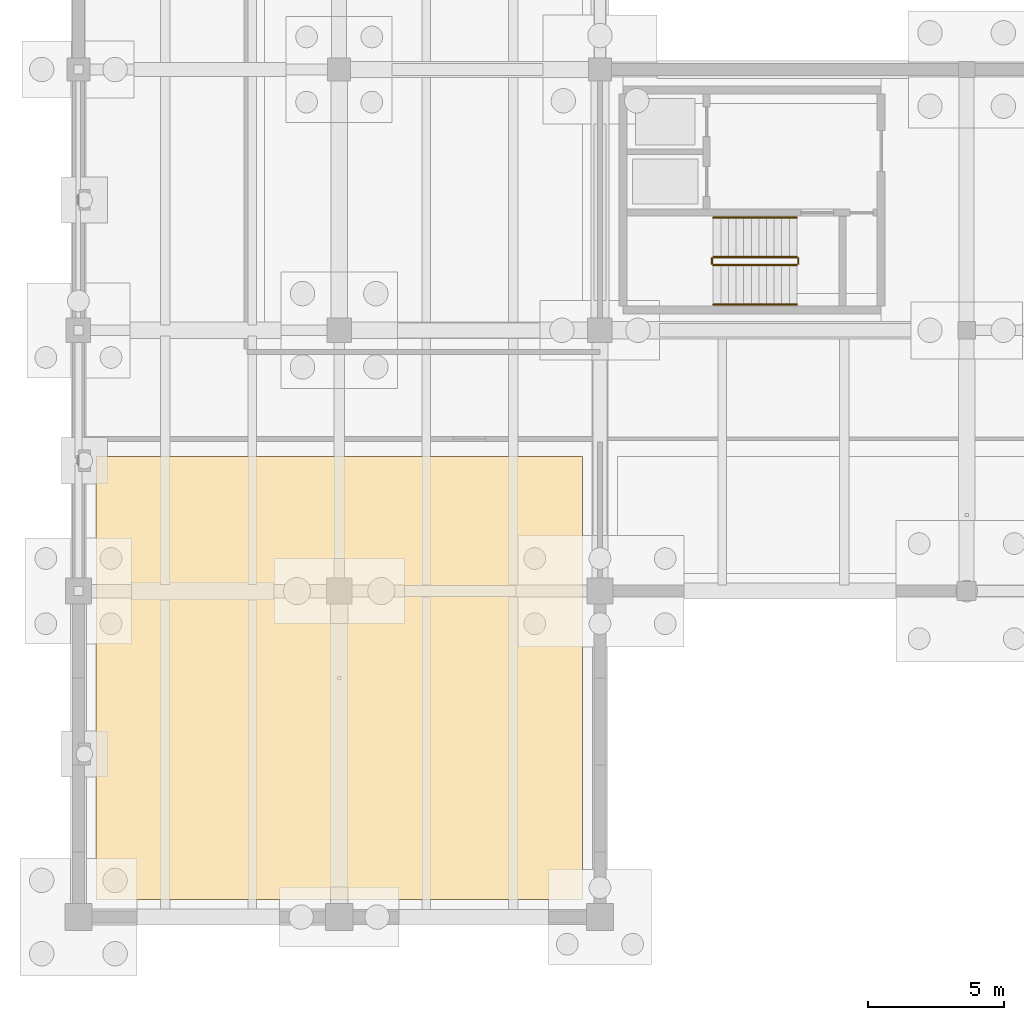
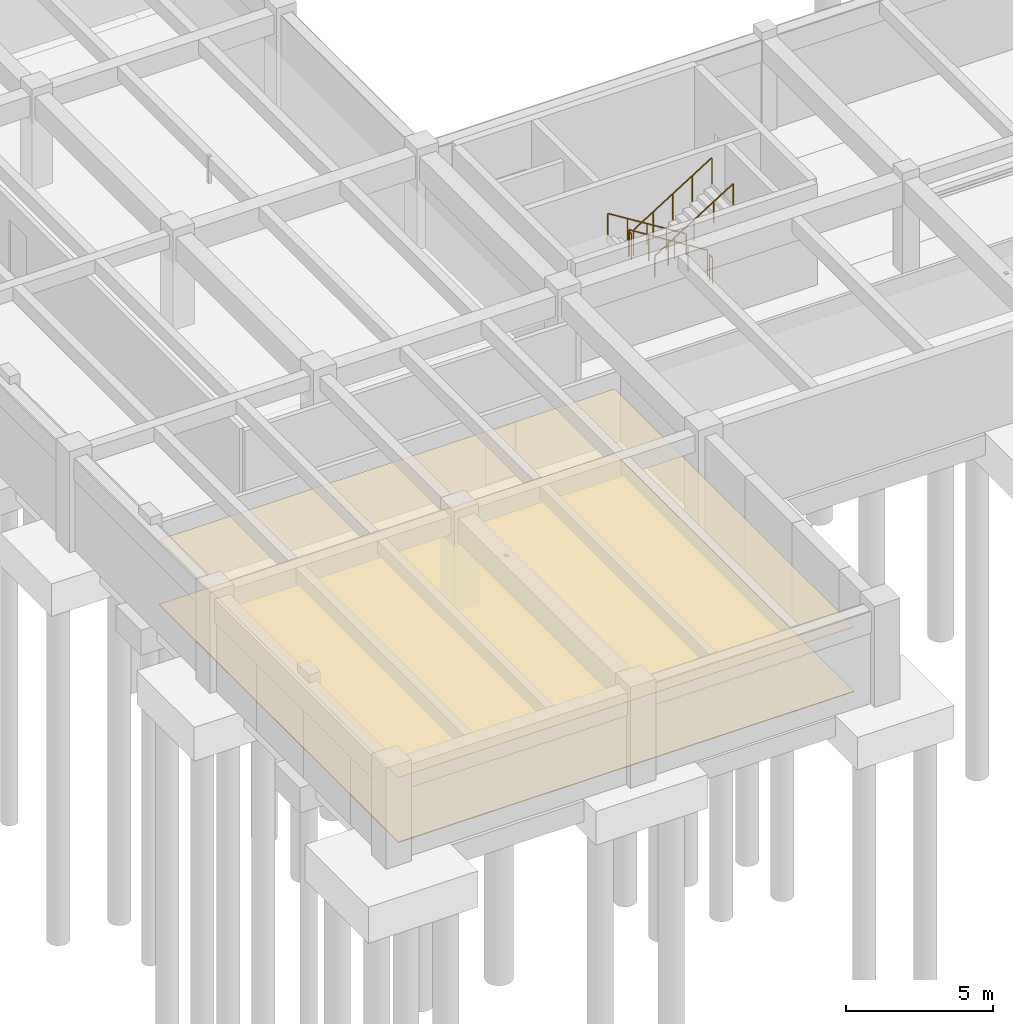
# One storey, part 31 of 41: 6 railings, 2 coverings.
"""IFC4 building model written with IfcOpenShell, lengths in metres."""

import ifcopenshell
import ifcopenshell.guid

model = None  # the IFC model being written
_history = None  # IfcOwnerHistory: only IFC2X3 demands one
_inside = {}  # id of a spatial element -> (the spatial element, [elements in it])
_under = {}  # id of a project, library or spatial element -> (it, [spatial elements below it])
_declared = {}  # id of a project -> (the project, [libraries it declares])
_typed = {}  # id of a type object -> (the type object, [elements of that type])
_made_of = {}  # id of a material, layer set ... -> (it, [elements and type objects made of it])


def new_model(schema):
    """Start an empty IFC model of exactly this schema.

    Asked for "IFC4X3", IfcOpenShell would pick the latest addendum, in which some entities
    have other attributes; the version numbers below select the first issue.
    IFC2X3 requires an IfcOwnerHistory on every rooted entity: one is made here for all.
    """
    global model, _history
    if schema == "IFC4X3":
        model = ifcopenshell.file(schema_version=(4, 3, 0, 0))
    else:
        model = ifcopenshell.file(schema=schema)
    _inside.clear()
    _under.clear()
    _declared.clear()
    _typed.clear()
    _made_of.clear()
    _history = None
    if model.schema == "IFC2X3":
        org = make("IfcOrganization", Name="unknown")
        user = make(
            "IfcPersonAndOrganization",
            ThePerson=make("IfcPerson", FamilyName="unknown"),
            TheOrganization=org,
        )
        app = make(
            "IfcApplication",
            ApplicationDeveloper=org,
            Version="unknown",
            ApplicationFullName="unknown",
            ApplicationIdentifier="unknown",
        )
        _history = make(
            "IfcOwnerHistory",
            OwningUser=user,
            OwningApplication=app,
            ChangeAction="ADDED",
            CreationDate=0,
        )
    return model


def make(cls, **values):
    """One entity of the class cls with the attributes given. An attribute that is None is left unset."""
    return model.create_entity(
        cls, **{name: value for name, value in values.items() if value is not None}
    )


def rooted(cls, **values):
    """An entity with a GlobalId (a new one), such as an element, a storey or a relation."""
    return make(cls, GlobalId=ifcopenshell.guid.new(), OwnerHistory=_history, **values)


def si_unit(unit_type, name, prefix=None):
    """IfcSIUnit, for example si_unit("LENGTHUNIT", "METRE", prefix="MILLI")."""
    return make("IfcSIUnit", UnitType=unit_type, Prefix=prefix, Name=name)


def assignment(units):
    """IfcUnitAssignment: the units of a project."""
    return None if units is None else make("IfcUnitAssignment", Units=units)


def point(xyz):
    """IfcCartesianPoint."""
    return None if xyz is None else make("IfcCartesianPoint", Coordinates=xyz)


def direction(xyz):
    """IfcDirection."""
    return None if xyz is None else make("IfcDirection", DirectionRatios=xyz)


def frame(location, z_axis=None, x_axis=None):
    """IfcAxis2Placement3D, a coordinate frame: its origin and axes. An axis left out is left unset."""
    return make(
        "IfcAxis2Placement3D",
        Location=point(location),
        Axis=direction(z_axis),
        RefDirection=direction(x_axis),
    )


def frame_2d(location, x_axis=None):
    """IfcAxis2Placement2D, a coordinate frame in the plane: its origin and x axis."""
    return make(
        "IfcAxis2Placement2D", Location=point(location), RefDirection=direction(x_axis)
    )


def origin():
    """The frame at (0, 0, 0) with its axes left unset."""
    return frame((0.0, 0.0, 0.0))


def origin_2d():
    """The frame at (0, 0) in the plane with its x axis left unset."""
    return frame_2d((0.0, 0.0))


def place(relative_to, where):
    """IfcLocalPlacement: puts the frame where relative to a parent placement (None: the world)."""
    return make(
        "IfcLocalPlacement", PlacementRelTo=relative_to, RelativePlacement=where
    )


def context(
    kind, dimensions, precision=None, world=None, true_north=None, identifier=None
):
    """IfcGeometricRepresentationContext, for example the 3D "Model" context."""
    return make(
        "IfcGeometricRepresentationContext",
        ContextIdentifier=identifier,
        ContextType=kind,
        CoordinateSpaceDimension=dimensions,
        Precision=precision,
        WorldCoordinateSystem=world,
        TrueNorth=true_north,
    )


def subcontext(parent, identifier, kind, view, scale=None):
    """IfcGeometricRepresentationSubContext, for example "Body" below "Model"."""
    return make(
        "IfcGeometricRepresentationSubContext",
        ContextIdentifier=identifier,
        ContextType=kind,
        ParentContext=parent,
        TargetScale=scale,
        TargetView=view,
    )


def project(units=None, contexts=None):
    """IfcProject with its units and contexts."""
    return rooted(
        "IfcProject",
        Name="project",
        RepresentationContexts=contexts,
        UnitsInContext=assignment(units),
    )


def spatial(cls, under=None, at=None, **own):
    """A site, building, storey or space (cls), placed at a placement, below another one or the project."""
    s = rooted(cls, ObjectPlacement=at, **own)
    if under is not None:
        _under.setdefault(under.id(), (under, []))[1].append(s)
    return s


def polyline(points):
    """IfcPolyline through the points."""
    return make("IfcPolyline", Points=[point(p) for p in points])


def profile(cls, at=None, kind="AREA", **sizes):
    """A parametric profile (cls). Its sizes go by their IFC names, for example OverallWidth=200.0."""
    return make(cls, ProfileType=kind, Position=at, **sizes)


def circle(**sizes):
    """IfcCircleProfileDef."""
    return profile("IfcCircleProfileDef", **sizes)


def outline(outer, holes=None, kind="AREA"):
    """IfcArbitraryClosedProfileDef: a profile drawn as a closed curve; with holes, ...WithVoids."""
    if holes is None:
        return make("IfcArbitraryClosedProfileDef", ProfileType=kind, OuterCurve=outer)
    return make(
        "IfcArbitraryProfileDefWithVoids",
        ProfileType=kind,
        OuterCurve=outer,
        InnerCurves=holes,
    )


def extrude(swept, where, along, depth):
    """IfcExtrudedAreaSolid: the profile swept, set in the frame where, extruded along a direction by depth."""
    return make(
        "IfcExtrudedAreaSolid",
        SweptArea=swept,
        Position=where,
        ExtrudedDirection=direction(along),
        Depth=depth,
    )


def shape(context_of_items, identifier, shape_type, items):
    """IfcShapeRepresentation: the items that make up one representation, for example the "Body"."""
    return make(
        "IfcShapeRepresentation",
        ContextOfItems=context_of_items,
        RepresentationIdentifier=identifier,
        RepresentationType=shape_type,
        Items=items,
    )


def material(Name=None, Category=None):
    """IfcMaterial."""
    return make("IfcMaterial", Name=Name, Category=Category)


def layer(
    of_material, thickness, ventilated=None, Name=None, Category=None, Priority=None
):
    """IfcMaterialLayer: one layer of a wall or slab, of a material (None: an air gap)."""
    return make(
        "IfcMaterialLayer",
        Material=of_material,
        LayerThickness=thickness,
        IsVentilated=ventilated,
        Name=Name,
        Category=Category,
        Priority=Priority,
    )


def layer_set(layers, Name=None):
    """IfcMaterialLayerSet."""
    return make("IfcMaterialLayerSet", MaterialLayers=layers, LayerSetName=Name)


def made_of(thing, what):
    """Note that an element or type object is made of a material, layer set ...; save() writes the relation."""
    if what is not None:
        _made_of.setdefault(what.id(), (what, []))[1].append(thing)
    return thing


def type_object(cls, material=None, **own):
    """A type object (cls), such as IfcWallType, which elements share."""
    return made_of(rooted(cls, **own), material)


def element(
    cls,
    number,
    at=None,
    inside=None,
    cuts=None,
    type_object=None,
    material=None,
    context=None,
    identifier="Body",
    shape_type=None,
    held_by="IfcProductDefinitionShape",
    body=None,
    shapes=None,
    **own,
):
    """One element of the class cls, such as IfcWall. Its Tag is "e" and its number.

    at: its placement. inside: the storey or other place that contains it. cuts: it is an
    opening in that element (IfcRelVoidsElement). A single representation is given by context,
    identifier, shape_type and body (its items); several are given by shapes. held_by: the class
    of the entity that holds the representations. save() writes the other relations.
    """
    e = rooted(cls, Tag="e%d" % number, ObjectPlacement=at, **own)
    if body is not None:
        shapes = [shape(context, identifier, shape_type, body)]
    if shapes is not None:
        e.Representation = make(held_by, Representations=shapes)
    if inside is not None:
        _inside.setdefault(inside.id(), (inside, []))[1].append(e)
    if cuts is not None:
        rooted(
            "IfcRelVoidsElement", RelatingBuildingElement=cuts, RelatedOpeningElement=e
        )
    if type_object is not None:
        _typed.setdefault(type_object.id(), (type_object, []))[1].append(e)
    return made_of(e, material)


def aggregate(whole, parts):
    """IfcRelAggregates: a whole, such as a stair, and the parts it consists of."""
    return rooted("IfcRelAggregates", RelatingObject=whole, RelatedObjects=parts)


def save(model, path):
    """Write the relations noted so far, then the file.

    IfcRelAggregates (storeys below a building ...), IfcRelContainedInSpatialStructure (elements
    in a storey), IfcRelDefinesByType, IfcRelAssociatesMaterial and IfcRelDeclares: one each for
    every whole, place, type object, material and project.
    """
    for whole, parts in _under.values():
        aggregate(whole, parts)
    for where, things in _inside.values():
        rooted(
            "IfcRelContainedInSpatialStructure",
            RelatedElements=things,
            RelatingStructure=where,
        )
    for kind, things in _typed.values():
        rooted("IfcRelDefinesByType", RelatedObjects=things, RelatingType=kind)
    for what, things in _made_of.values():
        rooted("IfcRelAssociatesMaterial", RelatedObjects=things, RelatingMaterial=what)
    for by, libraries in _declared.values():
        rooted("IfcRelDeclares", RelatingContext=by, RelatedDefinitions=libraries)
    model.write(path)


model = new_model("IFC4")

# Units and contexts
model_context = context("Model", 3, precision=1e-05, world=origin(), true_north=direction((0.0, 1.0)))
body_context = subcontext(model_context, "Body", "Model", "MODEL_VIEW")
ifc_project = project(units=[si_unit("LENGTHUNIT", "METRE"), si_unit("AREAUNIT", "SQUARE_METRE"), si_unit("VOLUMEUNIT", "CUBIC_METRE"), si_unit("PLANEANGLEUNIT", "RADIAN"), si_unit("MASSUNIT", "GRAM", prefix="KILO")], contexts=[model_context])

# Site, building, storey
site_placement = place(None, origin())
site = spatial("IfcSite", under=ifc_project, at=site_placement, CompositionType="ELEMENT")
building_placement = place(site_placement, origin())
building = spatial("IfcBuilding", under=site, at=building_placement, Name="Fikremerkos Civic Library", CompositionType="ELEMENT")
storey_placement = place(building_placement, frame((0.0, 0.0, -8.39990234375)))
storey = spatial("IfcBuildingStorey", under=building, at=storey_placement, Name="B02", CompositionType="ELEMENT", Elevation=-8.39990234375)

# Covering
ifc_material_1 = material(Name="Perforated acoustic cedar timber", Category="wood")
ifc_layer_1 = layer(ifc_material_1, 0.02490234375, Name="Perforated acoustic cedar timber")
ifc_layer_set_1 = layer_set([ifc_layer_1], Name="Perforated acoustic cedar timber")
covering_type_1 = type_object("IfcCoveringType", Name="Acoustic perforated timber ceiling CLG-01", PredefinedType="CEILING", material=ifc_layer_set_1)
covering_1_placement = place(storey_placement, frame((0.0, 0.0, 2.68994140625)))
element("IfcCovering", 1, at=covering_1_placement, inside=storey, type_object=covering_type_1, Name="Acoustic ceiling Rare Books and Manuscript Vault 1", PredefinedType="CEILING", context=body_context, shape_type="SweptSolid", body=[
    extrude(outline(polyline([(0.64990234375, 0.64990234375), (0.64990234375, 16.949951171875), (18.550048828125, 16.949951171875), (18.550048828125, 0.64990234375), (0.64990234375, 0.64990234375)])), origin(), (0.0, 0.0, 1.0), 0.02490234375),
])

# Railings
ifc_material_2 = material(Name="Painted Steel S275", Category="steel")
railing_type_1 = type_object("IfcRailingType", Name="Interior balustrade guard RLG-INT 1100", PredefinedType="BALUSTRADE", material=ifc_material_2)
railing_1_placement = place(storey_placement, frame((26.449951171875, 24.300048828125, 0.1748046875)))
element("IfcRailing", 2, at=railing_1_placement, inside=storey, type_object=railing_type_1, Name="B02 ST-K1 stair guard 1", PredefinedType="BALUSTRADE", context=body_context, shape_type="SweptSolid", body=[
    extrude(circle(Radius=0.02392578125, at=origin_2d()), frame((0.0, 0.0, 1.076171875), z_axis=(-0.847979421464, 0.0, 0.530029150871), x_axis=(0.0, -1.0, 0.0)), (0.0, 0.0, 1.0), 3.632080078125),
    extrude(circle(Radius=0.02099609375, at=origin_2d()), origin(), (0.0, 0.0, 1.0), 1.052001953125),
    extrude(circle(Radius=0.02099609375, at=origin_2d()), frame((-0.77001953125, 0.0, 0.481201171875)), (0.0, 0.0, 1.0), 1.052001953125),
    extrude(circle(Radius=0.02099609375, at=origin_2d()), frame((-1.5400390625, 0.0, 0.96240234375)), (0.0, 0.0, 1.0), 1.052001953125),
    extrude(circle(Radius=0.02099609375, at=origin_2d()), frame((-2.309814453125, 0.0, 1.44384765625)), (0.0, 0.0, 1.0), 1.052001953125),
    extrude(circle(Radius=0.02099609375, at=origin_2d()), frame((-3.079833984375, 0.0, 1.925048828125)), (0.0, 0.0, 1.0), 1.052001953125),
])
railing_2_placement = place(storey_placement, frame((23.320068359375, 24.25, 2.099853515625)))
element("IfcRailing", 3, at=railing_2_placement, inside=storey, type_object=railing_type_1, Name="B02 ST-K1 stair guard 2", PredefinedType="BALUSTRADE", context=body_context, shape_type="SweptSolid", body=[
    extrude(circle(Radius=0.02392578125, at=origin_2d()), frame((0.0, 0.0, 1.076171875), z_axis=(0.0, -1.0, 0.0), x_axis=(1.0, 0.0, 0.0)), (0.0, 0.0, 1.0), 0.199951171875),
    extrude(circle(Radius=0.02099609375, at=origin_2d()), origin(), (0.0, 0.0, 1.0), 1.052001953125),
    extrude(circle(Radius=0.02099609375, at=origin_2d()), frame((0.0, -0.199951171875, 0.0)), (0.0, 0.0, 1.0), 1.052001953125),
])
railing_3_placement = place(storey_placement, frame((23.3701171875, 24.0, 2.27490234375)))
element("IfcRailing", 4, at=railing_3_placement, inside=storey, type_object=railing_type_1, Name="B02 ST-K1 stair guard 3", PredefinedType="BALUSTRADE", context=body_context, shape_type="SweptSolid", body=[
    extrude(circle(Radius=0.02392578125, at=origin_2d()), frame((0.0, 0.0, 1.076171875), z_axis=(0.847979421464, 0.0, 0.530029150871), x_axis=(0.0, 1.0, 0.0)), (0.0, 0.0, 1.0), 3.632080078125),
    extrude(circle(Radius=0.02099609375, at=origin_2d()), origin(), (0.0, 0.0, 1.0), 1.052001953125),
    extrude(circle(Radius=0.02099609375, at=origin_2d()), frame((0.77001953125, 0.0, 0.481201171875)), (0.0, 0.0, 1.0), 1.052001953125),
    extrude(circle(Radius=0.02099609375, at=origin_2d()), frame((1.5400390625, 0.0, 0.96240234375)), (0.0, 0.0, 1.0), 1.052001953125),
    extrude(circle(Radius=0.02099609375, at=origin_2d()), frame((2.309814453125, 0.0, 1.44384765625)), (0.0, 0.0, 1.0), 1.052001953125),
    extrude(circle(Radius=0.02099609375, at=origin_2d()), frame((3.079833984375, 0.0, 1.925048828125)), (0.0, 0.0, 1.0), 1.052001953125),
])
railing_4_placement = place(storey_placement, frame((26.5, 24.25, 0.0)))
element("IfcRailing", 5, at=railing_4_placement, inside=storey, type_object=railing_type_1, Name="B02 ST-K1 stair guard 4", PredefinedType="BALUSTRADE", context=body_context, shape_type="SweptSolid", body=[
    extrude(circle(Radius=0.02392578125, at=origin_2d()), frame((0.0, 0.0, 1.076171875), z_axis=(0.0, -1.0, 0.0), x_axis=(1.0, 0.0, 0.0)), (0.0, 0.0, 1.0), 0.199951171875),
    extrude(circle(Radius=0.02099609375, at=origin_2d()), origin(), (0.0, 0.0, 1.0), 1.052001953125),
    extrude(circle(Radius=0.02099609375, at=origin_2d()), frame((0.0, -0.199951171875, 0.0)), (0.0, 0.0, 1.0), 1.052001953125),
])

# Covering
ifc_material_3 = material(Name="Polished basalt terrazzo", Category="masonry")
ifc_layer_2 = layer(ifc_material_3, 0.030029296875, Name="Polished basalt terrazzo")
ifc_layer_set_2 = layer_set([ifc_layer_2], Name="Polished basalt terrazzo")
covering_type_2 = type_object("IfcCoveringType", Name="Polished basalt terrazzo flooring FLR-01", PredefinedType="FLOORING", material=ifc_layer_set_2)
covering_2_placement = place(storey_placement, origin())
element("IfcCovering", 6, at=covering_2_placement, inside=storey, type_object=covering_type_2, Name="Terrazzo floor finish Rare Books and Manuscript Vault 1", PredefinedType="FLOORING", context=body_context, shape_type="SweptSolid", body=[
    extrude(outline(polyline([(0.64990234375, 0.64990234375), (0.64990234375, 16.949951171875), (18.550048828125, 16.949951171875), (18.550048828125, 0.64990234375), (0.64990234375, 0.64990234375)])), origin(), (0.0, 0.0, 1.0), 0.02978515625),
])

# Railings
ifc_material_4 = material(Name="Brushed stainless steel", Category="steel")
railing_type_2 = type_object("IfcRailingType", Name="Wall and flight handrail HRL-01 900", PredefinedType="HANDRAIL", material=ifc_material_4)
railing_5_placement = place(storey_placement, frame((26.449951171875, 25.75, 0.1748046875)))
element("IfcRailing", 7, at=railing_5_placement, inside=storey, type_object=railing_type_2, Name="B02 ST-K1 stair handrail 1", PredefinedType="HANDRAIL", context=body_context, shape_type="SweptSolid", body=[
    extrude(circle(Radius=0.02392578125, at=origin_2d()), frame((0.0, 0.0, 0.8759765625), z_axis=(-0.847979421464, 0.0, 0.530029150871), x_axis=(0.0, -1.0, 0.0)), (0.0, 0.0, 1.0), 3.632080078125),
    extrude(circle(Radius=0.02099609375, at=origin_2d()), origin(), (0.0, 0.0, 1.0), 0.851806640625),
    extrude(circle(Radius=0.02099609375, at=origin_2d()), frame((-0.77001953125, 0.0, 0.481201171875)), (0.0, 0.0, 1.0), 0.851806640625),
    extrude(circle(Radius=0.02099609375, at=origin_2d()), frame((-1.5400390625, 0.0, 0.96240234375)), (0.0, 0.0, 1.0), 0.851806640625),
    extrude(circle(Radius=0.02099609375, at=origin_2d()), frame((-2.309814453125, 0.0, 1.44384765625)), (0.0, 0.0, 1.0), 0.851806640625),
    extrude(circle(Radius=0.02099609375, at=origin_2d()), frame((-3.079833984375, 0.0, 1.925048828125)), (0.0, 0.0, 1.0), 0.851806640625),
])
railing_6_placement = place(storey_placement, frame((23.3701171875, 22.550048828125, 2.27490234375)))
element("IfcRailing", 8, at=railing_6_placement, inside=storey, type_object=railing_type_2, Name="B02 ST-K1 stair handrail 2", PredefinedType="HANDRAIL", context=body_context, shape_type="SweptSolid", body=[
    extrude(circle(Radius=0.02392578125, at=origin_2d()), frame((0.0, 0.0, 0.8759765625), z_axis=(0.847979421464, 0.0, 0.530029150871), x_axis=(0.0, 1.0, 0.0)), (0.0, 0.0, 1.0), 3.632080078125),
    extrude(circle(Radius=0.02099609375, at=origin_2d()), origin(), (0.0, 0.0, 1.0), 0.851806640625),
    extrude(circle(Radius=0.02099609375, at=origin_2d()), frame((0.77001953125, 0.0, 0.481201171875)), (0.0, 0.0, 1.0), 0.851806640625),
    extrude(circle(Radius=0.02099609375, at=origin_2d()), frame((1.5400390625, 0.0, 0.96240234375)), (0.0, 0.0, 1.0), 0.851806640625),
    extrude(circle(Radius=0.02099609375, at=origin_2d()), frame((2.309814453125, 0.0, 1.44384765625)), (0.0, 0.0, 1.0), 0.851806640625),
    extrude(circle(Radius=0.02099609375, at=origin_2d()), frame((3.079833984375, 0.0, 1.925048828125)), (0.0, 0.0, 1.0), 0.851806640625),
])

save(model, "model.ifc")
